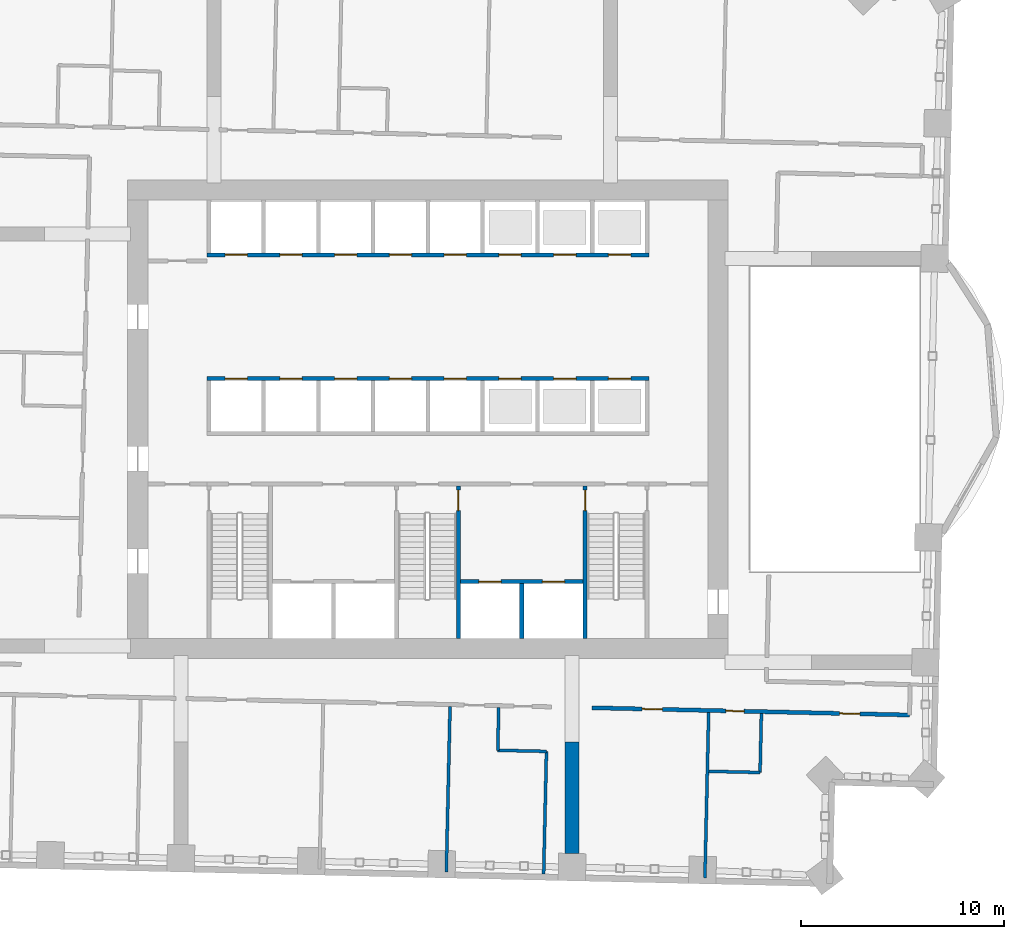
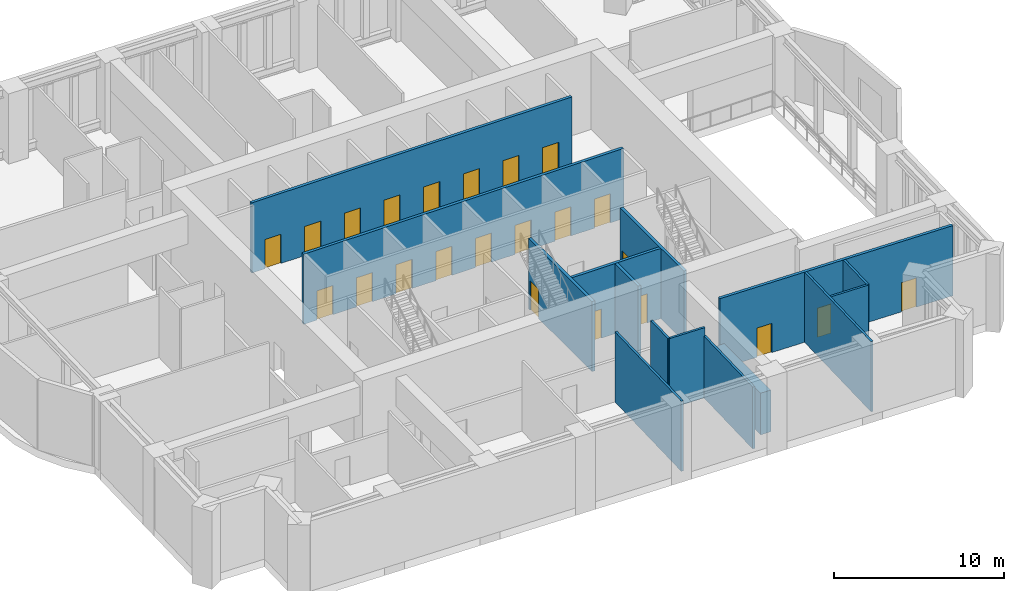
# One storey, part 7 of 13: 23 doors, 15 walls, 23 openings.
"""IFC4 building model written with IfcOpenShell, lengths in metres."""

from ifc_helpers import new_model, si_unit, direction, frame, frame_2d, origin, place, context, subcontext, project, spatial, rectangle, extrude, material, layer, layer_set, type_object, element, fill, save


model = new_model("IFC4")

# Units and contexts
model_context = context("Model", 3, precision=1e-05, world=origin(), true_north=direction((0.0, 1.0)))
body_context = subcontext(model_context, "Body", "Model", "MODEL_VIEW")
ifc_project = project(units=[si_unit("LENGTHUNIT", "METRE"), si_unit("AREAUNIT", "SQUARE_METRE"), si_unit("VOLUMEUNIT", "CUBIC_METRE"), si_unit("PLANEANGLEUNIT", "RADIAN"), si_unit("MASSUNIT", "GRAM", prefix="KILO")], contexts=[model_context])

# Site, building, storey
site_placement = place(None, origin())
site = spatial("IfcSite", under=ifc_project, at=site_placement, CompositionType="ELEMENT")
building_placement = place(site_placement, origin())
building = spatial("IfcBuilding", under=site, at=building_placement, Name="Mangrove Gate Tower", CompositionType="ELEMENT")
storey_placement = place(building_placement, frame((0.0, 0.0, 119.89990234375)))
storey = spatial("IfcBuildingStorey", under=building, at=storey_placement, Name="L30", CompositionType="ELEMENT", Elevation=119.89990234375)

# Wall, openings, doors
ifc_material_1 = material(Name="Concrete C70/85", Category="concrete")
ifc_layer_1 = layer(ifc_material_1, 0.199951171875)
ifc_layer_set_1 = layer_set([ifc_layer_1], Name="Core shaft wall 200 C70/85")
wall_type_1 = type_object("IfcWallType", Name="Core shaft wall 200 C70/85", PredefinedType="SHEAR", material=ifc_layer_set_1)
wall_1_placement = place(storey_placement, frame((-10.89990234375, 2.0, 0.0), z_axis=(0.0, 0.0, 1.0), x_axis=(1.0, 0.0, 0.0)))
wall_1 = element("IfcWall", 1, at=wall_1_placement, inside=storey, type_object=wall_type_1, Name="WALL-L30-CORE-7", PredefinedType="SHEAR", context=body_context, shape_type="SweptSolid", body=[
    extrude(rectangle(XDim=21.7998046875, YDim=0.199951171875, at=frame_2d((10.89990234375, 0.0))), origin(), (0.0, 0.0, 1.0), 5.050048828125),
])
opening_1_placement = place(wall_1_placement, frame((0.89990234375, 0.0, 0.0)))
opening_1 = element("IfcOpeningElement", 2, at=opening_1_placement, cuts=wall_1, Name="Opening LD", PredefinedType="OPENING", context=body_context, shape_type="SweptSolid", body=[
    extrude(rectangle(XDim=1.10009765625, YDim=2.10009765625, at=frame_2d((0.550048828125, 1.050048828125))), frame((0.0, 0.10986328125, 0.0), z_axis=(0.0, -1.0, 0.0), x_axis=(1.0, 0.0, 0.0)), (0.0, 0.0, 1.0), 0.219970703125),
])
opening_2_placement = place(wall_1_placement, frame((3.60009765625, 0.0, 0.0)))
opening_2 = element("IfcOpeningElement", 3, at=opening_2_placement, cuts=wall_1, Name="Opening LD", PredefinedType="OPENING", context=body_context, shape_type="SweptSolid", body=[
    extrude(rectangle(XDim=1.10009765625, YDim=2.10009765625, at=frame_2d((0.550048828125, 1.050048828125))), frame((0.0, 0.10986328125, 0.0), z_axis=(0.0, -1.0, 0.0), x_axis=(1.0, 0.0, 0.0)), (0.0, 0.0, 1.0), 0.219970703125),
])
opening_3_placement = place(wall_1_placement, frame((6.300048828125, 0.0, 0.0)))
opening_3 = element("IfcOpeningElement", 4, at=opening_3_placement, cuts=wall_1, Name="Opening LD", PredefinedType="OPENING", context=body_context, shape_type="SweptSolid", body=[
    extrude(rectangle(XDim=1.10009765625, YDim=2.10009765625, at=frame_2d((0.550048828125, 1.050048828125))), frame((0.0, 0.10986328125, 0.0), z_axis=(0.0, -1.0, 0.0), x_axis=(1.0, 0.0, 0.0)), (0.0, 0.0, 1.0), 0.219970703125),
])
opening_4_placement = place(wall_1_placement, frame((9.0, 0.0, 0.0)))
opening_4 = element("IfcOpeningElement", 5, at=opening_4_placement, cuts=wall_1, Name="Opening LD", PredefinedType="OPENING", context=body_context, shape_type="SweptSolid", body=[
    extrude(rectangle(XDim=1.10009765625, YDim=2.10009765625, at=frame_2d((0.550048828125, 1.050048828125))), frame((0.0, 0.10986328125, 0.0), z_axis=(0.0, -1.0, 0.0), x_axis=(1.0, 0.0, 0.0)), (0.0, 0.0, 1.0), 0.219970703125),
])
opening_5_placement = place(wall_1_placement, frame((11.699951171875, 0.0, 0.0)))
opening_5 = element("IfcOpeningElement", 6, at=opening_5_placement, cuts=wall_1, Name="Opening LD", PredefinedType="OPENING", context=body_context, shape_type="SweptSolid", body=[
    extrude(rectangle(XDim=1.10009765625, YDim=2.10009765625, at=frame_2d((0.550048828125, 1.050048828125))), frame((0.0, 0.10986328125, 0.0), z_axis=(0.0, -1.0, 0.0), x_axis=(1.0, 0.0, 0.0)), (0.0, 0.0, 1.0), 0.219970703125),
])
opening_6_placement = place(wall_1_placement, frame((14.39990234375, 0.0, 0.0)))
opening_6 = element("IfcOpeningElement", 7, at=opening_6_placement, cuts=wall_1, Name="Opening LD", PredefinedType="OPENING", context=body_context, shape_type="SweptSolid", body=[
    extrude(rectangle(XDim=1.10009765625, YDim=2.10009765625, at=frame_2d((0.550048828125, 1.050048828125))), frame((0.0, 0.10986328125, 0.0), z_axis=(0.0, -1.0, 0.0), x_axis=(1.0, 0.0, 0.0)), (0.0, 0.0, 1.0), 0.219970703125),
])
opening_7_placement = place(wall_1_placement, frame((17.10009765625, 0.0, 0.0)))
opening_7 = element("IfcOpeningElement", 8, at=opening_7_placement, cuts=wall_1, Name="Opening LD", PredefinedType="OPENING", context=body_context, shape_type="SweptSolid", body=[
    extrude(rectangle(XDim=1.10009765625, YDim=2.10009765625, at=frame_2d((0.550048828125, 1.050048828125))), frame((0.0, 0.10986328125, 0.0), z_axis=(0.0, -1.0, 0.0), x_axis=(1.0, 0.0, 0.0)), (0.0, 0.0, 1.0), 0.219970703125),
])
opening_8_placement = place(wall_1_placement, frame((19.800048828125, 0.0, 0.0)))
opening_8 = element("IfcOpeningElement", 9, at=opening_8_placement, cuts=wall_1, Name="Opening LD", PredefinedType="OPENING", context=body_context, shape_type="SweptSolid", body=[
    extrude(rectangle(XDim=1.10009765625, YDim=2.10009765625, at=frame_2d((0.550048828125, 1.050048828125))), frame((0.0, 0.10986328125, 0.0), z_axis=(0.0, -1.0, 0.0), x_axis=(1.0, 0.0, 0.0)), (0.0, 0.0, 1.0), 0.219970703125),
])
ifc_material_2 = material(Name="Stainless steel 316", Category="steel")
door_type_1 = type_object("IfcDoorType", Name="Lift landing door 1100x2100", OperationType="SLIDING_TO_LEFT", PredefinedType="DOOR", material=ifc_material_2)
door_1_placement = place(opening_1_placement, origin())
door_1 = element("IfcDoor", 10, at=door_1_placement, inside=storey, type_object=door_type_1, Name="Landing door LD P01", OperationType="SLIDING_TO_LEFT", OverallHeight=2.10009765625, OverallWidth=1.10009765625, PredefinedType="DOOR", context=body_context, shape_type="SweptSolid", body=[
    extrude(rectangle(XDim=1.10009765625, YDim=2.10009765625, at=frame_2d((0.550048828125, 1.050048828125))), frame((0.0, 0.02490234375, 0.0), z_axis=(0.0, -1.0, 0.0), x_axis=(1.0, 0.0, 0.0)), (0.0, 0.0, 1.0), 0.050048828125),
])
fill(opening_1, door_1)
door_2_placement = place(opening_2_placement, origin())
door_2 = element("IfcDoor", 11, at=door_2_placement, inside=storey, type_object=door_type_1, Name="Landing door LD P02", OperationType="SLIDING_TO_LEFT", OverallHeight=2.10009765625, OverallWidth=1.10009765625, PredefinedType="DOOR", context=body_context, shape_type="SweptSolid", body=[
    extrude(rectangle(XDim=1.10009765625, YDim=2.10009765625, at=frame_2d((0.550048828125, 1.050048828125))), frame((0.0, 0.02490234375, 0.0), z_axis=(0.0, -1.0, 0.0), x_axis=(1.0, 0.0, 0.0)), (0.0, 0.0, 1.0), 0.050048828125),
])
fill(opening_2, door_2)
door_3_placement = place(opening_3_placement, origin())
door_3 = element("IfcDoor", 12, at=door_3_placement, inside=storey, type_object=door_type_1, Name="Landing door LD P03", OperationType="SLIDING_TO_LEFT", OverallHeight=2.10009765625, OverallWidth=1.10009765625, PredefinedType="DOOR", context=body_context, shape_type="SweptSolid", body=[
    extrude(rectangle(XDim=1.10009765625, YDim=2.10009765625, at=frame_2d((0.550048828125, 1.050048828125))), frame((0.0, 0.02490234375, 0.0), z_axis=(0.0, -1.0, 0.0), x_axis=(1.0, 0.0, 0.0)), (0.0, 0.0, 1.0), 0.050048828125),
])
fill(opening_3, door_3)
door_4_placement = place(opening_4_placement, origin())
door_4 = element("IfcDoor", 13, at=door_4_placement, inside=storey, type_object=door_type_1, Name="Landing door LD P04", OperationType="SLIDING_TO_LEFT", OverallHeight=2.10009765625, OverallWidth=1.10009765625, PredefinedType="DOOR", context=body_context, shape_type="SweptSolid", body=[
    extrude(rectangle(XDim=1.10009765625, YDim=2.10009765625, at=frame_2d((0.550048828125, 1.050048828125))), frame((0.0, 0.02490234375, 0.0), z_axis=(0.0, -1.0, 0.0), x_axis=(1.0, 0.0, 0.0)), (0.0, 0.0, 1.0), 0.050048828125),
])
fill(opening_4, door_4)
door_5_placement = place(opening_5_placement, origin())
door_5 = element("IfcDoor", 14, at=door_5_placement, inside=storey, type_object=door_type_1, Name="Landing door LD P05", OperationType="SLIDING_TO_LEFT", OverallHeight=2.10009765625, OverallWidth=1.10009765625, PredefinedType="DOOR", context=body_context, shape_type="SweptSolid", body=[
    extrude(rectangle(XDim=1.10009765625, YDim=2.10009765625, at=frame_2d((0.550048828125, 1.050048828125))), frame((0.0, 0.02490234375, 0.0), z_axis=(0.0, -1.0, 0.0), x_axis=(1.0, 0.0, 0.0)), (0.0, 0.0, 1.0), 0.050048828125),
])
fill(opening_5, door_5)
door_6_placement = place(opening_6_placement, origin())
door_6 = element("IfcDoor", 15, at=door_6_placement, inside=storey, type_object=door_type_1, Name="Landing door LD M01", OperationType="SLIDING_TO_LEFT", OverallHeight=2.10009765625, OverallWidth=1.10009765625, PredefinedType="DOOR", context=body_context, shape_type="SweptSolid", body=[
    extrude(rectangle(XDim=1.10009765625, YDim=2.10009765625, at=frame_2d((0.550048828125, 1.050048828125))), frame((0.0, 0.02490234375, 0.0), z_axis=(0.0, -1.0, 0.0), x_axis=(1.0, 0.0, 0.0)), (0.0, 0.0, 1.0), 0.050048828125),
])
fill(opening_6, door_6)
door_7_placement = place(opening_7_placement, origin())
door_7 = element("IfcDoor", 16, at=door_7_placement, inside=storey, type_object=door_type_1, Name="Landing door LD M02", OperationType="SLIDING_TO_LEFT", OverallHeight=2.10009765625, OverallWidth=1.10009765625, PredefinedType="DOOR", context=body_context, shape_type="SweptSolid", body=[
    extrude(rectangle(XDim=1.10009765625, YDim=2.10009765625, at=frame_2d((0.550048828125, 1.050048828125))), frame((0.0, 0.02490234375, 0.0), z_axis=(0.0, -1.0, 0.0), x_axis=(1.0, 0.0, 0.0)), (0.0, 0.0, 1.0), 0.050048828125),
])
fill(opening_7, door_7)
door_8_placement = place(opening_8_placement, origin())
door_8 = element("IfcDoor", 17, at=door_8_placement, inside=storey, type_object=door_type_1, Name="Landing door LD M03", OperationType="SLIDING_TO_LEFT", OverallHeight=2.10009765625, OverallWidth=1.10009765625, PredefinedType="DOOR", context=body_context, shape_type="SweptSolid", body=[
    extrude(rectangle(XDim=1.10009765625, YDim=2.10009765625, at=frame_2d((0.550048828125, 1.050048828125))), frame((0.0, 0.02490234375, 0.0), z_axis=(0.0, -1.0, 0.0), x_axis=(1.0, 0.0, 0.0)), (0.0, 0.0, 1.0), 0.050048828125),
])
fill(opening_8, door_8)

wall_2_placement = place(storey_placement, frame((-10.89990234375, 8.10009765625, 0.0), z_axis=(0.0, 0.0, 1.0), x_axis=(1.0, 0.0, 0.0)))
wall_2 = element("IfcWall", 18, at=wall_2_placement, inside=storey, type_object=wall_type_1, Name="WALL-L30-CORE-8", PredefinedType="SHEAR", context=body_context, shape_type="SweptSolid", body=[
    extrude(rectangle(XDim=21.7998046875, YDim=0.199951171875, at=frame_2d((10.89990234375, 0.0))), origin(), (0.0, 0.0, 1.0), 5.050048828125),
])
opening_9_placement = place(wall_2_placement, frame((0.89990234375, 0.0, 0.0)))
opening_9 = element("IfcOpeningElement", 19, at=opening_9_placement, cuts=wall_2, Name="Opening LD", PredefinedType="OPENING", context=body_context, shape_type="SweptSolid", body=[
    extrude(rectangle(XDim=1.10009765625, YDim=2.10009765625, at=frame_2d((0.550048828125, 1.050048828125))), frame((0.0, 0.10986328125, 0.0), z_axis=(0.0, -1.0, 0.0), x_axis=(1.0, 0.0, 0.0)), (0.0, 0.0, 1.0), 0.219970703125),
])
opening_10_placement = place(wall_2_placement, frame((3.60009765625, 0.0, 0.0)))
opening_10 = element("IfcOpeningElement", 20, at=opening_10_placement, cuts=wall_2, Name="Opening LD", PredefinedType="OPENING", context=body_context, shape_type="SweptSolid", body=[
    extrude(rectangle(XDim=1.10009765625, YDim=2.10009765625, at=frame_2d((0.550048828125, 1.050048828125))), frame((0.0, 0.10986328125, 0.0), z_axis=(0.0, -1.0, 0.0), x_axis=(1.0, 0.0, 0.0)), (0.0, 0.0, 1.0), 0.219970703125),
])
opening_11_placement = place(wall_2_placement, frame((6.300048828125, 0.0, 0.0)))
opening_11 = element("IfcOpeningElement", 21, at=opening_11_placement, cuts=wall_2, Name="Opening LD", PredefinedType="OPENING", context=body_context, shape_type="SweptSolid", body=[
    extrude(rectangle(XDim=1.10009765625, YDim=2.10009765625, at=frame_2d((0.550048828125, 1.050048828125))), frame((0.0, 0.10986328125, 0.0), z_axis=(0.0, -1.0, 0.0), x_axis=(1.0, 0.0, 0.0)), (0.0, 0.0, 1.0), 0.219970703125),
])
opening_12_placement = place(wall_2_placement, frame((9.0, 0.0, 0.0)))
opening_12 = element("IfcOpeningElement", 22, at=opening_12_placement, cuts=wall_2, Name="Opening LD", PredefinedType="OPENING", context=body_context, shape_type="SweptSolid", body=[
    extrude(rectangle(XDim=1.10009765625, YDim=2.10009765625, at=frame_2d((0.550048828125, 1.050048828125))), frame((0.0, 0.10986328125, 0.0), z_axis=(0.0, -1.0, 0.0), x_axis=(1.0, 0.0, 0.0)), (0.0, 0.0, 1.0), 0.219970703125),
])
opening_13_placement = place(wall_2_placement, frame((11.699951171875, 0.0, 0.0)))
opening_13 = element("IfcOpeningElement", 23, at=opening_13_placement, cuts=wall_2, Name="Opening LD", PredefinedType="OPENING", context=body_context, shape_type="SweptSolid", body=[
    extrude(rectangle(XDim=1.10009765625, YDim=2.10009765625, at=frame_2d((0.550048828125, 1.050048828125))), frame((0.0, 0.10986328125, 0.0), z_axis=(0.0, -1.0, 0.0), x_axis=(1.0, 0.0, 0.0)), (0.0, 0.0, 1.0), 0.219970703125),
])
opening_14_placement = place(wall_2_placement, frame((14.39990234375, 0.0, 0.0)))
opening_14 = element("IfcOpeningElement", 24, at=opening_14_placement, cuts=wall_2, Name="Opening LD", PredefinedType="OPENING", context=body_context, shape_type="SweptSolid", body=[
    extrude(rectangle(XDim=1.10009765625, YDim=2.10009765625, at=frame_2d((0.550048828125, 1.050048828125))), frame((0.0, 0.10986328125, 0.0), z_axis=(0.0, -1.0, 0.0), x_axis=(1.0, 0.0, 0.0)), (0.0, 0.0, 1.0), 0.219970703125),
])
opening_15_placement = place(wall_2_placement, frame((17.10009765625, 0.0, 0.0)))
opening_15 = element("IfcOpeningElement", 25, at=opening_15_placement, cuts=wall_2, Name="Opening LD", PredefinedType="OPENING", context=body_context, shape_type="SweptSolid", body=[
    extrude(rectangle(XDim=1.10009765625, YDim=2.10009765625, at=frame_2d((0.550048828125, 1.050048828125))), frame((0.0, 0.10986328125, 0.0), z_axis=(0.0, -1.0, 0.0), x_axis=(1.0, 0.0, 0.0)), (0.0, 0.0, 1.0), 0.219970703125),
])
opening_16_placement = place(wall_2_placement, frame((19.800048828125, 0.0, 0.0)))
opening_16 = element("IfcOpeningElement", 26, at=opening_16_placement, cuts=wall_2, Name="Opening LD", PredefinedType="OPENING", context=body_context, shape_type="SweptSolid", body=[
    extrude(rectangle(XDim=1.10009765625, YDim=2.10009765625, at=frame_2d((0.550048828125, 1.050048828125))), frame((0.0, 0.10986328125, 0.0), z_axis=(0.0, -1.0, 0.0), x_axis=(1.0, 0.0, 0.0)), (0.0, 0.0, 1.0), 0.219970703125),
])
door_9_placement = place(opening_9_placement, origin())
door_9 = element("IfcDoor", 27, at=door_9_placement, inside=storey, type_object=door_type_1, Name="Landing door LD P06", OperationType="SLIDING_TO_LEFT", OverallHeight=2.10009765625, OverallWidth=1.10009765625, PredefinedType="DOOR", context=body_context, shape_type="SweptSolid", body=[
    extrude(rectangle(XDim=1.10009765625, YDim=2.10009765625, at=frame_2d((0.550048828125, 1.050048828125))), frame((0.0, 0.02490234375, 0.0), z_axis=(0.0, -1.0, 0.0), x_axis=(1.0, 0.0, 0.0)), (0.0, 0.0, 1.0), 0.050048828125),
])
fill(opening_9, door_9)
door_10_placement = place(opening_10_placement, origin())
door_10 = element("IfcDoor", 28, at=door_10_placement, inside=storey, type_object=door_type_1, Name="Landing door LD P07", OperationType="SLIDING_TO_LEFT", OverallHeight=2.10009765625, OverallWidth=1.10009765625, PredefinedType="DOOR", context=body_context, shape_type="SweptSolid", body=[
    extrude(rectangle(XDim=1.10009765625, YDim=2.10009765625, at=frame_2d((0.550048828125, 1.050048828125))), frame((0.0, 0.02490234375, 0.0), z_axis=(0.0, -1.0, 0.0), x_axis=(1.0, 0.0, 0.0)), (0.0, 0.0, 1.0), 0.050048828125),
])
fill(opening_10, door_10)
door_11_placement = place(opening_11_placement, origin())
door_11 = element("IfcDoor", 29, at=door_11_placement, inside=storey, type_object=door_type_1, Name="Landing door LD P08", OperationType="SLIDING_TO_LEFT", OverallHeight=2.10009765625, OverallWidth=1.10009765625, PredefinedType="DOOR", context=body_context, shape_type="SweptSolid", body=[
    extrude(rectangle(XDim=1.10009765625, YDim=2.10009765625, at=frame_2d((0.550048828125, 1.050048828125))), frame((0.0, 0.02490234375, 0.0), z_axis=(0.0, -1.0, 0.0), x_axis=(1.0, 0.0, 0.0)), (0.0, 0.0, 1.0), 0.050048828125),
])
fill(opening_11, door_11)
door_12_placement = place(opening_12_placement, origin())
door_12 = element("IfcDoor", 30, at=door_12_placement, inside=storey, type_object=door_type_1, Name="Landing door LD P09", OperationType="SLIDING_TO_LEFT", OverallHeight=2.10009765625, OverallWidth=1.10009765625, PredefinedType="DOOR", context=body_context, shape_type="SweptSolid", body=[
    extrude(rectangle(XDim=1.10009765625, YDim=2.10009765625, at=frame_2d((0.550048828125, 1.050048828125))), frame((0.0, 0.02490234375, 0.0), z_axis=(0.0, -1.0, 0.0), x_axis=(1.0, 0.0, 0.0)), (0.0, 0.0, 1.0), 0.050048828125),
])
fill(opening_12, door_12)
door_13_placement = place(opening_13_placement, origin())
door_13 = element("IfcDoor", 31, at=door_13_placement, inside=storey, type_object=door_type_1, Name="Landing door LD P10", OperationType="SLIDING_TO_LEFT", OverallHeight=2.10009765625, OverallWidth=1.10009765625, PredefinedType="DOOR", context=body_context, shape_type="SweptSolid", body=[
    extrude(rectangle(XDim=1.10009765625, YDim=2.10009765625, at=frame_2d((0.550048828125, 1.050048828125))), frame((0.0, 0.02490234375, 0.0), z_axis=(0.0, -1.0, 0.0), x_axis=(1.0, 0.0, 0.0)), (0.0, 0.0, 1.0), 0.050048828125),
])
fill(opening_13, door_13)
door_14_placement = place(opening_14_placement, origin())
door_14 = element("IfcDoor", 32, at=door_14_placement, inside=storey, type_object=door_type_1, Name="Landing door LD M04", OperationType="SLIDING_TO_LEFT", OverallHeight=2.10009765625, OverallWidth=1.10009765625, PredefinedType="DOOR", context=body_context, shape_type="SweptSolid", body=[
    extrude(rectangle(XDim=1.10009765625, YDim=2.10009765625, at=frame_2d((0.550048828125, 1.050048828125))), frame((0.0, 0.02490234375, 0.0), z_axis=(0.0, -1.0, 0.0), x_axis=(1.0, 0.0, 0.0)), (0.0, 0.0, 1.0), 0.050048828125),
])
fill(opening_14, door_14)
door_15_placement = place(opening_15_placement, origin())
door_15 = element("IfcDoor", 33, at=door_15_placement, inside=storey, type_object=door_type_1, Name="Landing door LD M05", OperationType="SLIDING_TO_LEFT", OverallHeight=2.10009765625, OverallWidth=1.10009765625, PredefinedType="DOOR", context=body_context, shape_type="SweptSolid", body=[
    extrude(rectangle(XDim=1.10009765625, YDim=2.10009765625, at=frame_2d((0.550048828125, 1.050048828125))), frame((0.0, 0.02490234375, 0.0), z_axis=(0.0, -1.0, 0.0), x_axis=(1.0, 0.0, 0.0)), (0.0, 0.0, 1.0), 0.050048828125),
])
fill(opening_15, door_15)
door_16_placement = place(opening_16_placement, origin())
door_16 = element("IfcDoor", 34, at=door_16_placement, inside=storey, type_object=door_type_1, Name="Landing door LD M06", OperationType="SLIDING_TO_LEFT", OverallHeight=2.10009765625, OverallWidth=1.10009765625, PredefinedType="DOOR", context=body_context, shape_type="SweptSolid", body=[
    extrude(rectangle(XDim=1.10009765625, YDim=2.10009765625, at=frame_2d((0.550048828125, 1.050048828125))), frame((0.0, 0.02490234375, 0.0), z_axis=(0.0, -1.0, 0.0), x_axis=(1.0, 0.0, 0.0)), (0.0, 0.0, 1.0), 0.050048828125),
])
fill(opening_16, door_16)

wall_3_placement = place(storey_placement, frame((1.60009765625, -8.0, 0.0), z_axis=(0.0, 0.0, 1.0), x_axis=(1.0, 0.0, 0.0)))
wall_3 = element("IfcWall", 35, at=wall_3_placement, inside=storey, type_object=wall_type_1, Name="WALL-L30-CORE-17", PredefinedType="SHEAR", context=body_context, shape_type="SweptSolid", body=[
    extrude(rectangle(XDim=6.0498046875, YDim=0.199951171875, at=frame_2d((3.02490234375, 0.0))), origin(), (0.0, 0.0, 1.0), 5.050048828125),
])
opening_17_placement = place(wall_3_placement, frame((0.91259765625, 0.0, 0.0)))
opening_17 = element("IfcOpeningElement", 36, at=opening_17_placement, cuts=wall_3, Name="Opening LD", PredefinedType="OPENING", context=body_context, shape_type="SweptSolid", body=[
    extrude(rectangle(XDim=1.10009765625, YDim=2.10009765625, at=frame_2d((0.550048828125, 1.050048828125))), frame((0.0, 0.10986328125, 0.0), z_axis=(0.0, -1.0, 0.0), x_axis=(1.0, 0.0, 0.0)), (0.0, 0.0, 1.0), 0.219970703125),
])
opening_18_placement = place(wall_3_placement, frame((4.03759765625, 0.0, 0.0)))
opening_18 = element("IfcOpeningElement", 37, at=opening_18_placement, cuts=wall_3, Name="Opening LD", PredefinedType="OPENING", context=body_context, shape_type="SweptSolid", body=[
    extrude(rectangle(XDim=1.10009765625, YDim=2.10009765625, at=frame_2d((0.550048828125, 1.050048828125))), frame((0.0, 0.10986328125, 0.0), z_axis=(0.0, -1.0, 0.0), x_axis=(1.0, 0.0, 0.0)), (0.0, 0.0, 1.0), 0.219970703125),
])
door_17_placement = place(opening_17_placement, origin())
door_17 = element("IfcDoor", 38, at=door_17_placement, inside=storey, type_object=door_type_1, Name="Landing door LD FFL1", OperationType="SLIDING_TO_LEFT", OverallHeight=2.10009765625, OverallWidth=1.10009765625, PredefinedType="DOOR", context=body_context, shape_type="SweptSolid", body=[
    extrude(rectangle(XDim=1.10009765625, YDim=2.10009765625, at=frame_2d((0.550048828125, 1.050048828125))), frame((0.0, 0.02490234375, 0.0), z_axis=(0.0, -1.0, 0.0), x_axis=(1.0, 0.0, 0.0)), (0.0, 0.0, 1.0), 0.050048828125),
])
fill(opening_17, door_17)
door_18_placement = place(opening_18_placement, origin())
door_18 = element("IfcDoor", 39, at=door_18_placement, inside=storey, type_object=door_type_1, Name="Landing door LD FFL2", OperationType="SLIDING_TO_LEFT", OverallHeight=2.10009765625, OverallWidth=1.10009765625, PredefinedType="DOOR", context=body_context, shape_type="SweptSolid", body=[
    extrude(rectangle(XDim=1.10009765625, YDim=2.10009765625, at=frame_2d((0.550048828125, 1.050048828125))), frame((0.0, 0.02490234375, 0.0), z_axis=(0.0, -1.0, 0.0), x_axis=(1.0, 0.0, 0.0)), (0.0, 0.0, 1.0), 0.050048828125),
])
fill(opening_18, door_18)

# Wall
wall_4_placement = place(storey_placement, frame((4.625, -10.800048828125, 0.0), z_axis=(0.0, 0.0, 1.0), x_axis=(0.0, 1.0, 0.0)))
element("IfcWall", 40, at=wall_4_placement, inside=storey, type_object=wall_type_1, Name="WALL-L30-CORE-18", PredefinedType="SHEAR", context=body_context, shape_type="SweptSolid", body=[
    extrude(rectangle(XDim=2.699951171875, YDim=0.199951171875, at=frame_2d((1.35009765625, 0.0))), origin(), (0.0, 0.0, 1.0), 5.050048828125),
])

# Wall, opening, door
ifc_material_3 = material(Name="Concrete C70/85", Category="concrete")
ifc_layer_2 = layer(ifc_material_3, 0.199951171875)
ifc_layer_set_2 = layer_set([ifc_layer_2], Name="Core stair wall 200 C70/85")
wall_type_2 = type_object("IfcWallType", Name="Core stair wall 200 C70/85", PredefinedType="SHEAR", material=ifc_layer_set_2)
wall_5_placement = place(storey_placement, frame((1.5, -10.800048828125, 0.0), z_axis=(0.0, 0.0, 1.0), x_axis=(0.0, 1.0, 0.0)))
wall_5 = element("IfcWall", 41, at=wall_5_placement, inside=storey, type_object=wall_type_2, Name="WALL-L30-CORE-12", PredefinedType="SHEAR", context=body_context, shape_type="SweptSolid", body=[
    extrude(rectangle(XDim=7.5, YDim=0.199951171875, at=frame_2d((3.75, 0.0))), origin(), (0.0, 0.0, 1.0), 5.050048828125),
])
opening_19_placement = place(wall_5_placement, frame((6.300048828125, 0.0, 0.0)))
opening_19 = element("IfcOpeningElement", 42, at=opening_19_placement, cuts=wall_5, Name="Opening STD10", PredefinedType="OPENING", context=body_context, shape_type="SweptSolid", body=[
    extrude(rectangle(XDim=1.0, YDim=2.10009765625, at=frame_2d((0.5, 1.050048828125))), frame((0.0, 0.10986328125, 0.0), z_axis=(0.0, -1.0, 0.0), x_axis=(1.0, 0.0, 0.0)), (0.0, 0.0, 1.0), 0.219970703125),
])
ifc_material_4 = material(Name="Fire-rated steel door set", Category="steel")
door_type_2 = type_object("IfcDoorType", Name="Stair door FD60 1000x2100", OperationType="SINGLE_SWING_RIGHT", PredefinedType="DOOR", material=ifc_material_4)
door_19_placement = place(opening_19_placement, origin())
door_19 = element("IfcDoor", 43, at=door_19_placement, inside=storey, type_object=door_type_2, Name="Stair door Stair 2 from fire-fighting lobby", OperationType="SINGLE_SWING_RIGHT", OverallHeight=2.10009765625, OverallWidth=1.0, PredefinedType="DOOR", context=body_context, shape_type="SweptSolid", body=[
    extrude(rectangle(XDim=1.0, YDim=2.10009765625, at=frame_2d((0.5, 1.050048828125))), frame((0.0, 0.02490234375, 0.0), z_axis=(0.0, -1.0, 0.0), x_axis=(1.0, 0.0, 0.0)), (0.0, 0.0, 1.0), 0.050048828125),
])
fill(opening_19, door_19)

wall_6_placement = place(storey_placement, frame((7.75, -10.800048828125, 0.0), z_axis=(0.0, 0.0, 1.0), x_axis=(0.0, 1.0, 0.0)))
wall_6 = element("IfcWall", 44, at=wall_6_placement, inside=storey, type_object=wall_type_2, Name="WALL-L30-CORE-13", PredefinedType="SHEAR", context=body_context, shape_type="SweptSolid", body=[
    extrude(rectangle(XDim=7.5, YDim=0.199951171875, at=frame_2d((3.75, 0.0))), origin(), (0.0, 0.0, 1.0), 5.050048828125),
])
opening_20_placement = place(wall_6_placement, frame((6.300048828125, 0.0, 0.0)))
opening_20 = element("IfcOpeningElement", 45, at=opening_20_placement, cuts=wall_6, Name="Opening STD10", PredefinedType="OPENING", context=body_context, shape_type="SweptSolid", body=[
    extrude(rectangle(XDim=1.0, YDim=2.10009765625, at=frame_2d((0.5, 1.050048828125))), frame((0.0, 0.10986328125, 0.0), z_axis=(0.0, -1.0, 0.0), x_axis=(1.0, 0.0, 0.0)), (0.0, 0.0, 1.0), 0.219970703125),
])
door_20_placement = place(opening_20_placement, origin())
door_20 = element("IfcDoor", 46, at=door_20_placement, inside=storey, type_object=door_type_2, Name="Stair door Stair 3 from fire-fighting lobby", OperationType="SINGLE_SWING_RIGHT", OverallHeight=2.10009765625, OverallWidth=1.0, PredefinedType="DOOR", context=body_context, shape_type="SweptSolid", body=[
    extrude(rectangle(XDim=1.0, YDim=2.10009765625, at=frame_2d((0.5, 1.050048828125))), frame((0.0, 0.02490234375, 0.0), z_axis=(0.0, -1.0, 0.0), x_axis=(1.0, 0.0, 0.0)), (0.0, 0.0, 1.0), 0.050048828125),
])
fill(opening_20, door_20)

# Wall, openings, doors
ifc_material_5 = material(Name="Gypsum board on steel stud, EI 60", Category="steel")
ifc_layer_3 = layer(ifc_material_5, 0.199951171875)
ifc_layer_set_3 = layer_set([ifc_layer_3], Name="Corridor wall EI 60")
wall_type_3 = type_object("IfcWallType", Name="Corridor wall EI 60", PredefinedType="PARTITIONING", material=ifc_layer_set_3)
wall_7_placement = place(storey_placement, frame((8.083984375, -14.22412109375, 0.0), z_axis=(0.0, 0.0, 1.0), x_axis=(0.99974311352, -0.022665104655, 0.0)))
wall_7 = element("IfcWall", 47, at=wall_7_placement, inside=storey, type_object=wall_type_3, Name="WALL-L30-014", PredefinedType="PARTITIONING", context=body_context, shape_type="SweptSolid", body=[
    extrude(rectangle(XDim=15.661865234375, YDim=0.199951171875, at=frame_2d((7.8310546875, 0.0))), origin(), (0.0, 0.0, 1.0), 5.050048828125),
])
opening_21_placement = place(wall_7_placement, frame((2.47900390625, 0.0, 0.0)))
opening_21 = element("IfcOpeningElement", 48, at=opening_21_placement, cuts=wall_7, Name="Opening AD", PredefinedType="OPENING", context=body_context, shape_type="SweptSolid", body=[
    extrude(rectangle(XDim=1.0, YDim=2.10009765625, at=frame_2d((0.5, 1.050048828125))), frame((0.0, 0.10986328125, 0.0), z_axis=(0.0, -1.0, 0.0), x_axis=(1.0, 0.0, 0.0)), (0.0, 0.0, 1.0), 0.219970703125),
])
opening_22_placement = place(wall_7_placement, frame((12.2080078125, 0.0, 0.0)))
opening_22 = element("IfcOpeningElement", 49, at=opening_22_placement, cuts=wall_7, Name="Opening AD", PredefinedType="OPENING", context=body_context, shape_type="SweptSolid", body=[
    extrude(rectangle(XDim=1.0, YDim=2.10009765625, at=frame_2d((0.5, 1.050048828125))), frame((0.0, 0.10986328125, 0.0), z_axis=(0.0, -1.0, 0.0), x_axis=(1.0, 0.0, 0.0)), (0.0, 0.0, 1.0), 0.219970703125),
])
opening_23_placement = place(wall_7_placement, frame((6.60400390625, 0.0, 0.0)))
opening_23 = element("IfcOpeningElement", 50, at=opening_23_placement, cuts=wall_7, Name="Opening SD", PredefinedType="OPENING", context=body_context, shape_type="SweptSolid", body=[
    extrude(rectangle(XDim=0.89990234375, YDim=2.10009765625, at=frame_2d((0.449951171875, 1.050048828125))), frame((0.0, 0.10986328125, 0.0), z_axis=(0.0, -1.0, 0.0), x_axis=(1.0, 0.0, 0.0)), (0.0, 0.0, 1.0), 0.219970703125),
])
ifc_material_6 = material(Name="Timber door leaf", Category="wood")
door_type_3 = type_object("IfcDoorType", Name="Amenity door 1000", OperationType="SINGLE_SWING_LEFT", PredefinedType="DOOR", material=ifc_material_6)
door_21_placement = place(opening_21_placement, origin())
door_21 = element("IfcDoor", 51, at=door_21_placement, inside=storey, type_object=door_type_3, Name="DOOR-L30-GAM-c2a", OperationType="SINGLE_SWING_RIGHT", OverallHeight=2.10009765625, OverallWidth=1.0, PredefinedType="DOOR", context=body_context, shape_type="SweptSolid", body=[
    extrude(rectangle(XDim=1.0, YDim=2.10009765625, at=frame_2d((0.5, 1.050048828125))), frame((0.0, 0.02490234375, 0.0), z_axis=(0.0, -1.0, 0.0), x_axis=(1.0, 0.0, 0.0)), (0.0, 0.0, 1.0), 0.050048828125),
])
fill(opening_21, door_21)
door_22_placement = place(opening_22_placement, origin())
door_22 = element("IfcDoor", 52, at=door_22_placement, inside=storey, type_object=door_type_3, Name="DOOR-L30-KIT-c2a", OperationType="SINGLE_SWING_LEFT", OverallHeight=2.10009765625, OverallWidth=1.0, PredefinedType="DOOR", context=body_context, shape_type="SweptSolid", body=[
    extrude(rectangle(XDim=1.0, YDim=2.10009765625, at=frame_2d((0.5, 1.050048828125))), frame((0.0, 0.02490234375, 0.0), z_axis=(0.0, -1.0, 0.0), x_axis=(1.0, 0.0, 0.0)), (0.0, 0.0, 1.0), 0.050048828125),
])
fill(opening_22, door_22)
ifc_material_7 = material(Name="Timber door leaf", Category="wood")
door_type_4 = type_object("IfcDoorType", Name="Service room door 900", OperationType="SINGLE_SWING_LEFT", PredefinedType="DOOR", material=ifc_material_7)
door_23_placement = place(opening_23_placement, origin())
door_23 = element("IfcDoor", 53, at=door_23_placement, inside=storey, type_object=door_type_4, Name="DOOR-L30-AWC-c2a", OperationType="SINGLE_SWING_RIGHT", OverallHeight=2.10009765625, OverallWidth=0.89990234375, PredefinedType="DOOR", context=body_context, shape_type="SweptSolid", body=[
    extrude(rectangle(XDim=0.89990234375, YDim=2.10009765625, at=frame_2d((0.449951171875, 1.050048828125))), frame((0.0, 0.02490234375, 0.0), z_axis=(0.0, -1.0, 0.0), x_axis=(1.0, 0.0, 0.0)), (0.0, 0.0, 1.0), 0.050048828125),
])
fill(opening_23, door_23)

# Walls
ifc_material_8 = material(Name="Concrete C70/85", Category="concrete")
ifc_layer_4 = layer(ifc_material_8, 0.699951171875)
ifc_layer_set_4 = layer_set([ifc_layer_4], Name="Outrigger wall 700 C70/85")
wall_type_4 = type_object("IfcWallType", Name="Outrigger wall 700 C70/85", PredefinedType="SHEAR", material=ifc_layer_set_4)
wall_8_placement = place(storey_placement, frame((7.108154296875, -15.89990234375, 0.0), z_axis=(0.0, 0.0, 1.0), x_axis=(0.0, -1.0, 0.0)))
element("IfcWall", 54, at=wall_8_placement, inside=storey, type_object=wall_type_4, Name="Outrigger wall L30 OR4 pier", PredefinedType="SHEAR", context=body_context, shape_type="SweptSolid", body=[
    extrude(rectangle(XDim=5.504150390625, YDim=0.699951171875, at=frame_2d((2.751953125, 0.0))), origin(), (0.0, 0.0, 1.0), 3.0),
])
ifc_material_9 = material(Name="Gypsum board on steel stud, EI 60", Category="steel")
ifc_layer_5 = layer(ifc_material_9, 0.14990234375)
ifc_layer_set_5 = layer_set([ifc_layer_5], Name="Party wall 150 EI 60")
wall_type_5 = type_object("IfcWallType", Name="Party wall 150 EI 60", PredefinedType="PARTITIONING", material=ifc_layer_set_5)
wall_9_placement = place(storey_placement, frame((0.906982421875, -22.31298828125, 0.0), z_axis=(0.0, 0.0, 1.0), x_axis=(0.022706435224, 0.999742175663, 0.0)))
element("IfcWall", 55, at=wall_9_placement, inside=storey, type_object=wall_type_5, Name="WALL-L30-004", PredefinedType="PARTITIONING", context=body_context, shape_type="SweptSolid", body=[
    extrude(rectangle(XDim=8.150146484375, YDim=0.14990234375, at=frame_2d((4.0751953125, 0.0))), origin(), (0.0, 0.0, 1.0), 5.050048828125),
])
wall_10_placement = place(storey_placement, frame((5.7060546875, -22.422119140625, 0.0), z_axis=(0.0, 0.0, 1.0), x_axis=(0.022639817871, 0.999743686475, 0.0)))
element("IfcWall", 56, at=wall_10_placement, inside=storey, type_object=wall_type_5, Name="WALL-L30-005", PredefinedType="PARTITIONING", context=body_context, shape_type="SweptSolid", body=[
    extrude(rectangle(XDim=6.049560546875, YDim=0.14990234375, at=frame_2d((3.02490234375, 0.0))), origin(), (0.0, 0.0, 1.0), 4.4501953125),
])
wall_11_placement = place(storey_placement, frame((13.654052734375, -22.60205078125, 0.0), z_axis=(0.0, 0.0, 1.0), x_axis=(0.022706435224, 0.999742175663, 0.0)))
element("IfcWall", 57, at=wall_11_placement, inside=storey, type_object=wall_type_5, Name="WALL-L30-006", PredefinedType="PARTITIONING", context=body_context, shape_type="SweptSolid", body=[
    extrude(rectangle(XDim=8.150146484375, YDim=0.14990234375, at=frame_2d((4.0751953125, 0.0))), origin(), (0.0, 0.0, 1.0), 5.050048828125),
])
wall_12_placement = place(storey_placement, frame((13.843994140625, -17.35498046875, 0.0), z_axis=(0.0, 0.0, 1.0), x_axis=(0.999735102249, -0.023015762656, 0.0)))
element("IfcWall", 58, at=wall_12_placement, inside=storey, type_object=wall_type_5, Name="WALL-L30-007", PredefinedType="PARTITIONING", context=body_context, shape_type="SweptSolid", body=[
    extrude(rectangle(XDim=2.524658203125, YDim=0.14990234375, at=frame_2d((1.26220703125, 0.0))), origin(), (0.0, 0.0, 1.0), 5.050048828125),
])
wall_13_placement = place(storey_placement, frame((16.3720703125, -17.4130859375, 0.0), z_axis=(0.0, 0.0, 1.0), x_axis=(0.022723317103, 0.999741792094, 0.0)))
element("IfcWall", 59, at=wall_13_placement, inside=storey, type_object=wall_type_5, Name="WALL-L30-008", PredefinedType="PARTITIONING", context=body_context, shape_type="SweptSolid", body=[
    extrude(rectangle(XDim=2.90087890625, YDim=0.14990234375, at=frame_2d((1.450439453125, 0.0))), origin(), (0.0, 0.0, 1.0), 5.050048828125),
])
wall_14_placement = place(storey_placement, frame((3.43994140625, -16.319091796875, 0.0), z_axis=(0.0, 0.0, 1.0), x_axis=(0.999747216954, -0.022483375898, 0.0)))
element("IfcWall", 60, at=wall_14_placement, inside=storey, type_object=wall_type_5, Name="WALL-L30-009", PredefinedType="PARTITIONING", context=body_context, shape_type="SweptSolid", body=[
    extrude(rectangle(XDim=2.399658203125, YDim=0.14990234375, at=frame_2d((1.19970703125, 0.0))), origin(), (0.0, 0.0, 1.0), 5.050048828125),
])
wall_15_placement = place(storey_placement, frame((3.444091796875, -16.319091796875, 0.0), z_axis=(0.0, 0.0, 1.0), x_axis=(0.022325208909, 0.999750761464, 0.0)))
element("IfcWall", 61, at=wall_15_placement, inside=storey, type_object=wall_type_5, Name="WALL-L30-010", PredefinedType="PARTITIONING", context=body_context, shape_type="SweptSolid", body=[
    extrude(rectangle(XDim=2.099609375, YDim=0.14990234375, at=frame_2d((1.0498046875, 0.0))), origin(), (0.0, 0.0, 1.0), 5.050048828125),
])

save(model, "model.ifc")
